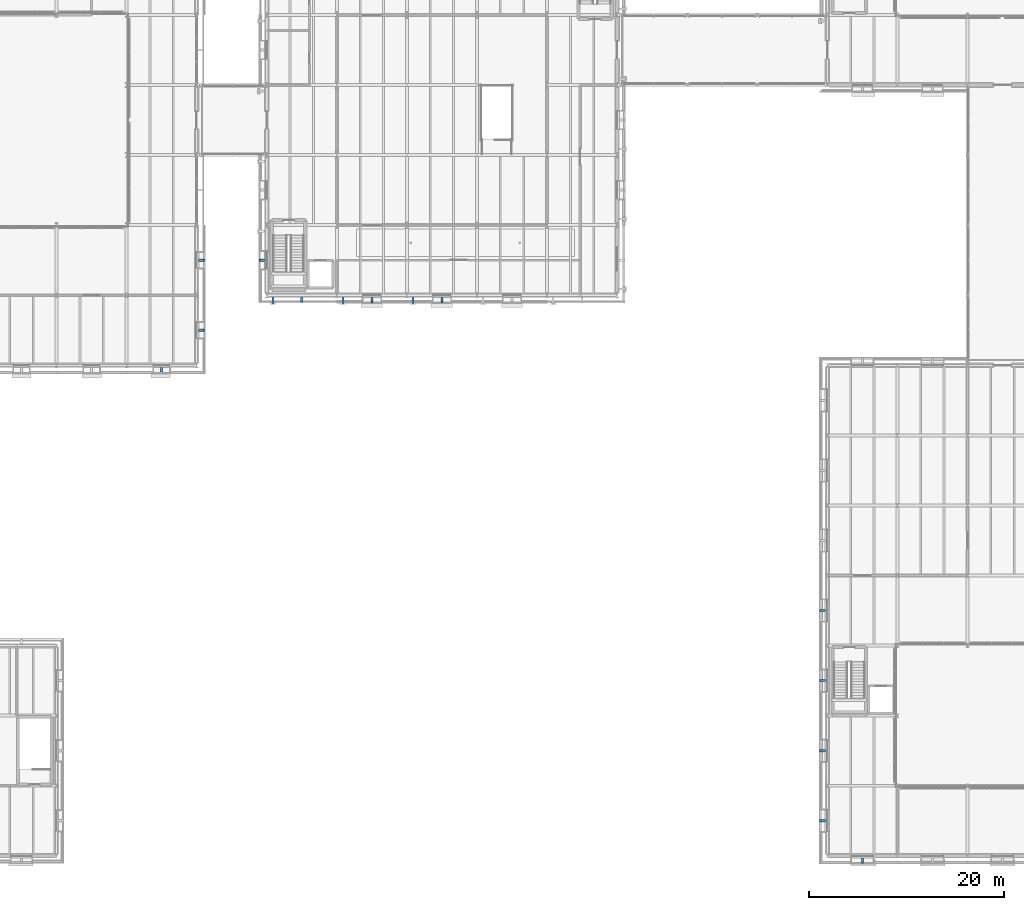
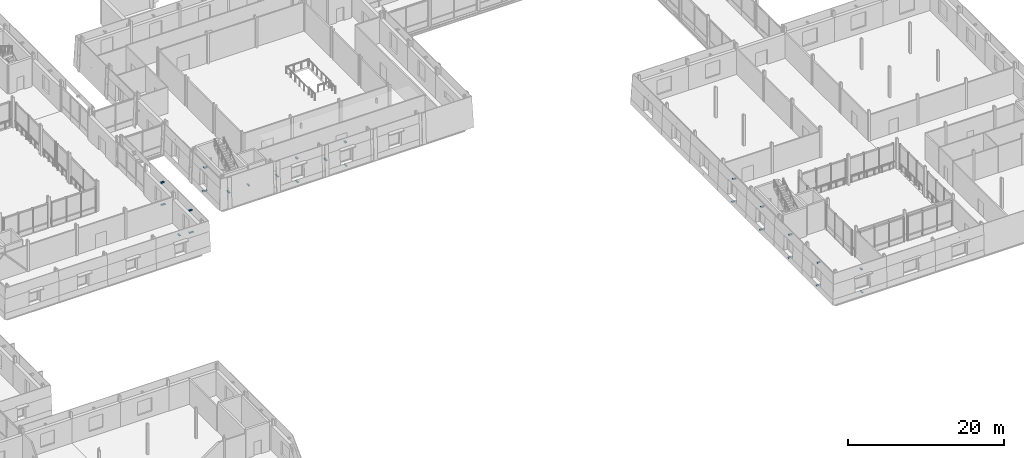
# One storey, part 91 of 121: 25 discrete accessories.
"""IFC4 building model written with IfcOpenShell, lengths in metres."""

from ifc_helpers import new_model, si_unit, direction, frame, origin, origin_2d, place, context, subcontext, project, spatial, rectangle, extrude, material, layer, layer_set, type_object, element, save


model = new_model("IFC4")

# Units and contexts
model_context = context("Model", 3, precision=1e-05, world=origin(), true_north=direction((0.0, 1.0)))
body_context = subcontext(model_context, "Body", "Model", "MODEL_VIEW")
ifc_project = project(units=[si_unit("LENGTHUNIT", "METRE"), si_unit("AREAUNIT", "SQUARE_METRE"), si_unit("VOLUMEUNIT", "CUBIC_METRE"), si_unit("PLANEANGLEUNIT", "RADIAN"), si_unit("MASSUNIT", "GRAM", prefix="KILO")], contexts=[model_context])

# Site, building, storey
site_placement = place(None, origin())
site = spatial("IfcSite", under=ifc_project, at=site_placement, CompositionType="ELEMENT")
building_placement = place(site_placement, origin())
building = spatial("IfcBuilding", under=site, at=building_placement, Name="Narikvali Park Central Library", CompositionType="ELEMENT")
storey_placement = place(building_placement, frame((0.0, 0.0, 5.39990234375)))
storey = spatial("IfcBuildingStorey", under=building, at=storey_placement, Name="L01", CompositionType="ELEMENT", Elevation=5.39990234375)

# Discrete accessories
ifc_material = material(Name="Brushed Stainless Steel S355", Category="steel")
ifc_layer = layer(ifc_material, 0.139892578125, Name="Brushed Stainless Steel S355")
ifc_layer_set = layer_set([ifc_layer], Name="Brushed Stainless Steel S355")
discrete_accessory_type = type_object("IfcDiscreteAccessoryType", Name="Cladding Stainless Tie-Back Corbel Bracket", PredefinedType="BRACKET", material=ifc_layer_set)
discrete_accessory_1_placement = place(storey_placement, frame((65.425048828125, 57.07470703125, 2.330078125), z_axis=(0.0, 0.0, 1.0), x_axis=(1.0, 0.0, 0.0)))
element("IfcDiscreteAccessory", 1, at=discrete_accessory_1_placement, inside=storey, type_object=discrete_accessory_type, Name="Limestone Cladding Tie-Back Bracket V1-PIL-L01-S-B01", PredefinedType="BRACKET", context=body_context, shape_type="SweptSolid", body=[
    extrude(rectangle(XDim=0.219970703125, YDim=0.630859375, at=origin_2d()), origin(), (0.0, 0.0, 1.0), 0.139892578125),
])
discrete_accessory_2_placement = place(storey_placement, frame((68.39990234375, 57.14453125, 2.330078125), z_axis=(0.0, 0.0, 1.0), x_axis=(1.0, 0.0, 0.0)))
element("IfcDiscreteAccessory", 2, at=discrete_accessory_2_placement, inside=storey, type_object=discrete_accessory_type, Name="Limestone Cladding Tie-Back Bracket V1-CLD-L01-S-B01-FULL", PredefinedType="BRACKET", context=body_context, shape_type="SweptSolid", body=[
    extrude(rectangle(XDim=0.219970703125, YDim=0.49072265625, at=origin_2d()), origin(), (0.0, 0.0, 1.0), 0.139892578125),
])
discrete_accessory_3_placement = place(storey_placement, frame((72.625, 57.07470703125, 2.330078125), z_axis=(0.0, 0.0, 1.0), x_axis=(1.0, 0.0, 0.0)))
element("IfcDiscreteAccessory", 3, at=discrete_accessory_3_placement, inside=storey, type_object=discrete_accessory_type, Name="Limestone Cladding Tie-Back Bracket V1-PIL-L01-S-B02", PredefinedType="BRACKET", context=body_context, shape_type="SweptSolid", body=[
    extrude(rectangle(XDim=0.219970703125, YDim=0.630859375, at=origin_2d()), origin(), (0.0, 0.0, 1.0), 0.139892578125),
])
discrete_accessory_4_placement = place(storey_placement, frame((75.60009765625, 57.104736328125, 0.38037109375), z_axis=(0.0, 0.0, 1.0), x_axis=(1.0, 0.0, 0.0)))
element("IfcDiscreteAccessory", 4, at=discrete_accessory_4_placement, inside=storey, type_object=discrete_accessory_type, Name="Limestone Cladding Tie-Back Bracket V1-CLD-L01-S-B02-SP", PredefinedType="BRACKET", context=body_context, shape_type="SweptSolid", body=[
    extrude(rectangle(XDim=0.219970703125, YDim=0.570556640625, at=origin_2d()), origin(), (0.0, 0.0, 1.0), 0.139892578125),
])
discrete_accessory_5_placement = place(storey_placement, frame((75.60009765625, 57.178955078125, 4.00537109375), z_axis=(0.0, 0.0, 1.0), x_axis=(1.0, 0.0, 0.0)))
element("IfcDiscreteAccessory", 5, at=discrete_accessory_5_placement, inside=storey, type_object=discrete_accessory_type, Name="Limestone Cladding Tie-Back Bracket V1-CLD-L01-S-B02-LN", PredefinedType="BRACKET", context=body_context, shape_type="SweptSolid", body=[
    extrude(rectangle(XDim=0.219970703125, YDim=0.42236328125, at=origin_2d()), origin(), (0.0, 0.0, 1.0), 0.139892578125),
])
discrete_accessory_6_placement = place(storey_placement, frame((79.824951171875, 57.07470703125, 2.330078125), z_axis=(0.0, 0.0, 1.0), x_axis=(1.0, 0.0, 0.0)))
element("IfcDiscreteAccessory", 6, at=discrete_accessory_6_placement, inside=storey, type_object=discrete_accessory_type, Name="Limestone Cladding Tie-Back Bracket V1-PIL-L01-S-B03", PredefinedType="BRACKET", context=body_context, shape_type="SweptSolid", body=[
    extrude(rectangle(XDim=0.219970703125, YDim=0.630859375, at=origin_2d()), origin(), (0.0, 0.0, 1.0), 0.139892578125),
])
discrete_accessory_7_placement = place(storey_placement, frame((82.800048828125, 57.104736328125, 0.38037109375), z_axis=(0.0, 0.0, 1.0), x_axis=(1.0, 0.0, 0.0)))
element("IfcDiscreteAccessory", 7, at=discrete_accessory_7_placement, inside=storey, type_object=discrete_accessory_type, Name="Limestone Cladding Tie-Back Bracket V1-CLD-L01-S-B03-SP", PredefinedType="BRACKET", context=body_context, shape_type="SweptSolid", body=[
    extrude(rectangle(XDim=0.219970703125, YDim=0.570556640625, at=origin_2d()), origin(), (0.0, 0.0, 1.0), 0.139892578125),
])
discrete_accessory_8_placement = place(storey_placement, frame((82.800048828125, 57.178955078125, 4.00537109375), z_axis=(0.0, 0.0, 1.0), x_axis=(1.0, 0.0, 0.0)))
element("IfcDiscreteAccessory", 8, at=discrete_accessory_8_placement, inside=storey, type_object=discrete_accessory_type, Name="Limestone Cladding Tie-Back Bracket V1-CLD-L01-S-B03-LN", PredefinedType="BRACKET", context=body_context, shape_type="SweptSolid", body=[
    extrude(rectangle(XDim=0.219970703125, YDim=0.42236328125, at=origin_2d()), origin(), (0.0, 0.0, 1.0), 0.139892578125),
])
discrete_accessory_9_placement = place(storey_placement, frame((64.3046875, 61.199951171875, 0.38037109375), z_axis=(0.0, 0.0, 1.0), x_axis=(1.0, 0.0, 0.0)))
element("IfcDiscreteAccessory", 9, at=discrete_accessory_9_placement, inside=storey, type_object=discrete_accessory_type, Name="Limestone Cladding Tie-Back Bracket V1-CLD-L01-W-B05-SP", PredefinedType="BRACKET", context=body_context, shape_type="SweptSolid", body=[
    extrude(rectangle(XDim=0.570556640625, YDim=0.219970703125, at=origin_2d()), origin(), (0.0, 0.0, 1.0), 0.139892578125),
])
discrete_accessory_10_placement = place(storey_placement, frame((64.37890625, 61.199951171875, 4.00537109375), z_axis=(0.0, 0.0, 1.0), x_axis=(1.0, 0.0, 0.0)))
element("IfcDiscreteAccessory", 10, at=discrete_accessory_10_placement, inside=storey, type_object=discrete_accessory_type, Name="Limestone Cladding Tie-Back Bracket V1-CLD-L01-W-B05-LN", PredefinedType="BRACKET", context=body_context, shape_type="SweptSolid", body=[
    extrude(rectangle(XDim=0.42236328125, YDim=0.219970703125, at=origin_2d()), origin(), (0.0, 0.0, 1.0), 0.139892578125),
])
discrete_accessory_11_placement = place(storey_placement, frame((54.0, 49.94287109375, 3.9052734375), z_axis=(0.0, 0.0, 1.0), x_axis=(1.0, 0.0, 0.0)))
element("IfcDiscreteAccessory", 11, at=discrete_accessory_11_placement, inside=storey, type_object=discrete_accessory_type, Name="Limestone Cladding Tie-Back Bracket V4-CLD-L01-S-B04-LN", PredefinedType="BRACKET", context=body_context, shape_type="SweptSolid", body=[
    extrude(rectangle(XDim=0.219970703125, YDim=0.494140625, at=origin_2d()), origin(), (0.0, 0.0, 1.0), 0.139892578125),
])
discrete_accessory_12_placement = place(storey_placement, frame((58.1162109375, 54.0, 0.4052734375), z_axis=(0.0, 0.0, 1.0), x_axis=(1.0, 0.0, 0.0)))
element("IfcDiscreteAccessory", 12, at=discrete_accessory_12_placement, inside=storey, type_object=discrete_accessory_type, Name="Limestone Cladding Tie-Back Bracket V4-CLD-L01-E-B01-SP", PredefinedType="BRACKET", context=body_context, shape_type="SweptSolid", body=[
    extrude(rectangle(XDim=0.612060546875, YDim=0.219970703125, at=origin_2d()), origin(), (0.0, 0.0, 1.0), 0.139892578125),
])
discrete_accessory_13_placement = place(storey_placement, frame((58.05712890625, 54.0, 3.9052734375), z_axis=(0.0, 0.0, 1.0), x_axis=(1.0, 0.0, 0.0)))
element("IfcDiscreteAccessory", 13, at=discrete_accessory_13_placement, inside=storey, type_object=discrete_accessory_type, Name="Limestone Cladding Tie-Back Bracket V4-CLD-L01-E-B01-LN", PredefinedType="BRACKET", context=body_context, shape_type="SweptSolid", body=[
    extrude(rectangle(XDim=0.494140625, YDim=0.219970703125, at=origin_2d()), origin(), (0.0, 0.0, 1.0), 0.139892578125),
])
discrete_accessory_14_placement = place(storey_placement, frame((58.1162109375, 61.199951171875, 0.4052734375), z_axis=(0.0, 0.0, 1.0), x_axis=(1.0, 0.0, 0.0)))
element("IfcDiscreteAccessory", 14, at=discrete_accessory_14_placement, inside=storey, type_object=discrete_accessory_type, Name="Limestone Cladding Tie-Back Bracket V4-CLD-L01-E-B02-SP", PredefinedType="BRACKET", context=body_context, shape_type="SweptSolid", body=[
    extrude(rectangle(XDim=0.612060546875, YDim=0.219970703125, at=origin_2d()), origin(), (0.0, 0.0, 1.0), 0.139892578125),
])
discrete_accessory_15_placement = place(storey_placement, frame((58.05712890625, 61.199951171875, 3.9052734375), z_axis=(0.0, 0.0, 1.0), x_axis=(1.0, 0.0, 0.0)))
element("IfcDiscreteAccessory", 15, at=discrete_accessory_15_placement, inside=storey, type_object=discrete_accessory_type, Name="Limestone Cladding Tie-Back Bracket V4-CLD-L01-E-B02-LN", PredefinedType="BRACKET", context=body_context, shape_type="SweptSolid", body=[
    extrude(rectangle(XDim=0.494140625, YDim=0.219970703125, at=origin_2d()), origin(), (0.0, 0.0, 1.0), 0.139892578125),
])
discrete_accessory_16_placement = place(storey_placement, frame((126.0, -0.495361328125, 0.38037109375), z_axis=(0.0, 0.0, 1.0), x_axis=(1.0, 0.0, 0.0)))
element("IfcDiscreteAccessory", 16, at=discrete_accessory_16_placement, inside=storey, type_object=discrete_accessory_type, Name="Limestone Cladding Tie-Back Bracket V6-CLD-L01-S-B01-SP", PredefinedType="BRACKET", context=body_context, shape_type="SweptSolid", body=[
    extrude(rectangle(XDim=0.219970703125, YDim=0.570556640625, at=origin_2d()), origin(), (0.0, 0.0, 1.0), 0.139892578125),
])
discrete_accessory_17_placement = place(storey_placement, frame((126.0, -0.423095703125, 3.9052734375), z_axis=(0.0, 0.0, 1.0), x_axis=(1.0, 0.0, 0.0)))
element("IfcDiscreteAccessory", 17, at=discrete_accessory_17_placement, inside=storey, type_object=discrete_accessory_type, Name="Limestone Cladding Tie-Back Bracket V6-CLD-L01-S-B01-LN", PredefinedType="BRACKET", context=body_context, shape_type="SweptSolid", body=[
    extrude(rectangle(XDim=0.219970703125, YDim=0.426513671875, at=origin_2d()), origin(), (0.0, 0.0, 1.0), 0.139892578125),
])
discrete_accessory_18_placement = place(storey_placement, frame((121.90478515625, 25.199951171875, 0.38037109375), z_axis=(0.0, 0.0, 1.0), x_axis=(1.0, 0.0, 0.0)))
element("IfcDiscreteAccessory", 18, at=discrete_accessory_18_placement, inside=storey, type_object=discrete_accessory_type, Name="Limestone Cladding Tie-Back Bracket V6-CLD-L01-W-B04-SP", PredefinedType="BRACKET", context=body_context, shape_type="SweptSolid", body=[
    extrude(rectangle(XDim=0.570556640625, YDim=0.219970703125, at=origin_2d()), origin(), (0.0, 0.0, 1.0), 0.139892578125),
])
discrete_accessory_19_placement = place(storey_placement, frame((121.976806640625, 25.199951171875, 3.9052734375), z_axis=(0.0, 0.0, 1.0), x_axis=(1.0, 0.0, 0.0)))
element("IfcDiscreteAccessory", 19, at=discrete_accessory_19_placement, inside=storey, type_object=discrete_accessory_type, Name="Limestone Cladding Tie-Back Bracket V6-CLD-L01-W-B04-LN", PredefinedType="BRACKET", context=body_context, shape_type="SweptSolid", body=[
    extrude(rectangle(XDim=0.426513671875, YDim=0.219970703125, at=origin_2d()), origin(), (0.0, 0.0, 1.0), 0.139892578125),
])
discrete_accessory_20_placement = place(storey_placement, frame((121.90478515625, 18.0, 0.38037109375), z_axis=(0.0, 0.0, 1.0), x_axis=(1.0, 0.0, 0.0)))
element("IfcDiscreteAccessory", 20, at=discrete_accessory_20_placement, inside=storey, type_object=discrete_accessory_type, Name="Limestone Cladding Tie-Back Bracket V6-CLD-L01-W-B05-SP", PredefinedType="BRACKET", context=body_context, shape_type="SweptSolid", body=[
    extrude(rectangle(XDim=0.570556640625, YDim=0.219970703125, at=origin_2d()), origin(), (0.0, 0.0, 1.0), 0.139892578125),
])
discrete_accessory_21_placement = place(storey_placement, frame((121.976806640625, 18.0, 3.9052734375), z_axis=(0.0, 0.0, 1.0), x_axis=(1.0, 0.0, 0.0)))
element("IfcDiscreteAccessory", 21, at=discrete_accessory_21_placement, inside=storey, type_object=discrete_accessory_type, Name="Limestone Cladding Tie-Back Bracket V6-CLD-L01-W-B05-LN", PredefinedType="BRACKET", context=body_context, shape_type="SweptSolid", body=[
    extrude(rectangle(XDim=0.426513671875, YDim=0.219970703125, at=origin_2d()), origin(), (0.0, 0.0, 1.0), 0.139892578125),
])
discrete_accessory_22_placement = place(storey_placement, frame((121.90478515625, 10.800048828125, 0.38037109375), z_axis=(0.0, 0.0, 1.0), x_axis=(1.0, 0.0, 0.0)))
element("IfcDiscreteAccessory", 22, at=discrete_accessory_22_placement, inside=storey, type_object=discrete_accessory_type, Name="Limestone Cladding Tie-Back Bracket V6-CLD-L01-W-B06-SP", PredefinedType="BRACKET", context=body_context, shape_type="SweptSolid", body=[
    extrude(rectangle(XDim=0.570556640625, YDim=0.219970703125, at=origin_2d()), origin(), (0.0, 0.0, 1.0), 0.139892578125),
])
discrete_accessory_23_placement = place(storey_placement, frame((121.976806640625, 10.800048828125, 3.9052734375), z_axis=(0.0, 0.0, 1.0), x_axis=(1.0, 0.0, 0.0)))
element("IfcDiscreteAccessory", 23, at=discrete_accessory_23_placement, inside=storey, type_object=discrete_accessory_type, Name="Limestone Cladding Tie-Back Bracket V6-CLD-L01-W-B06-LN", PredefinedType="BRACKET", context=body_context, shape_type="SweptSolid", body=[
    extrude(rectangle(XDim=0.426513671875, YDim=0.219970703125, at=origin_2d()), origin(), (0.0, 0.0, 1.0), 0.139892578125),
])
discrete_accessory_24_placement = place(storey_placement, frame((121.90478515625, 3.60009765625, 0.38037109375), z_axis=(0.0, 0.0, 1.0), x_axis=(1.0, 0.0, 0.0)))
element("IfcDiscreteAccessory", 24, at=discrete_accessory_24_placement, inside=storey, type_object=discrete_accessory_type, Name="Limestone Cladding Tie-Back Bracket V6-CLD-L01-W-B07-SP", PredefinedType="BRACKET", context=body_context, shape_type="SweptSolid", body=[
    extrude(rectangle(XDim=0.570556640625, YDim=0.219970703125, at=origin_2d()), origin(), (0.0, 0.0, 1.0), 0.139892578125),
])
discrete_accessory_25_placement = place(storey_placement, frame((121.976806640625, 3.60009765625, 3.9052734375), z_axis=(0.0, 0.0, 1.0), x_axis=(1.0, 0.0, 0.0)))
element("IfcDiscreteAccessory", 25, at=discrete_accessory_25_placement, inside=storey, type_object=discrete_accessory_type, Name="Limestone Cladding Tie-Back Bracket V6-CLD-L01-W-B07-LN", PredefinedType="BRACKET", context=body_context, shape_type="SweptSolid", body=[
    extrude(rectangle(XDim=0.426513671875, YDim=0.219970703125, at=origin_2d()), origin(), (0.0, 0.0, 1.0), 0.139892578125),
])

save(model, "model.ifc")
